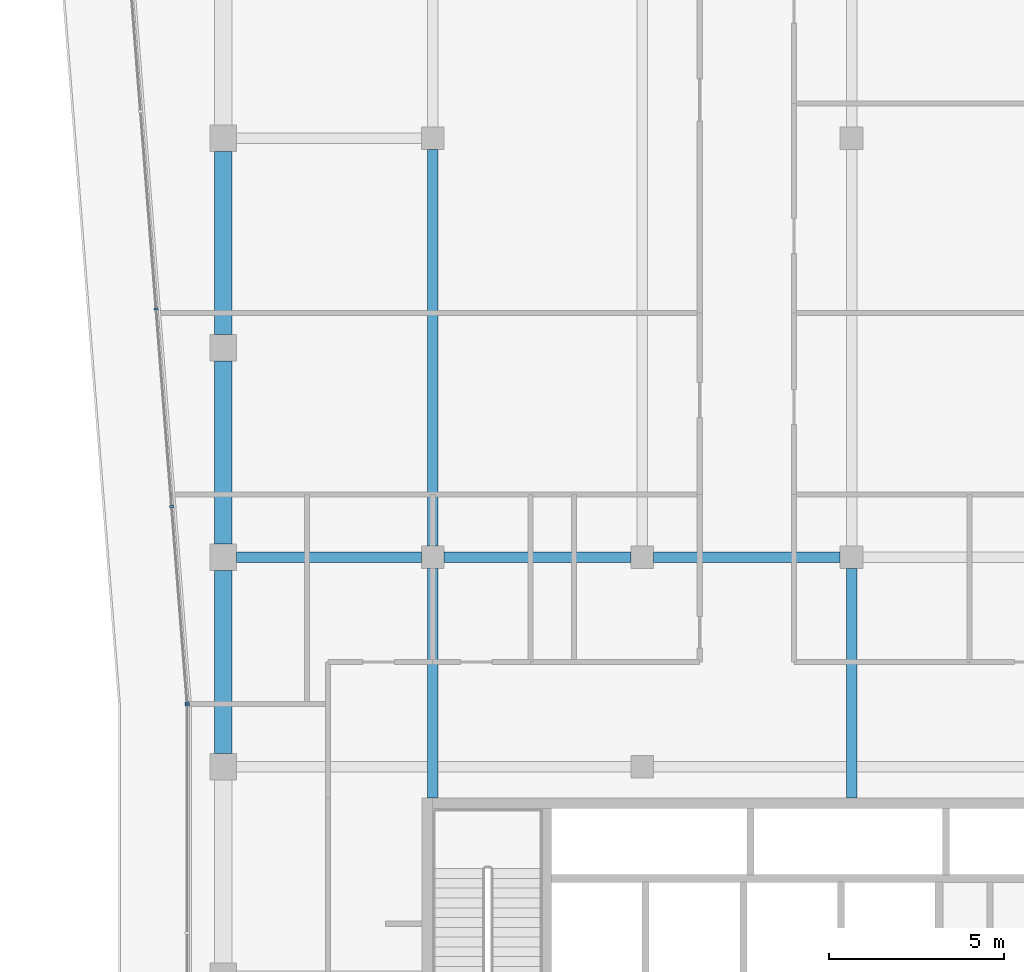
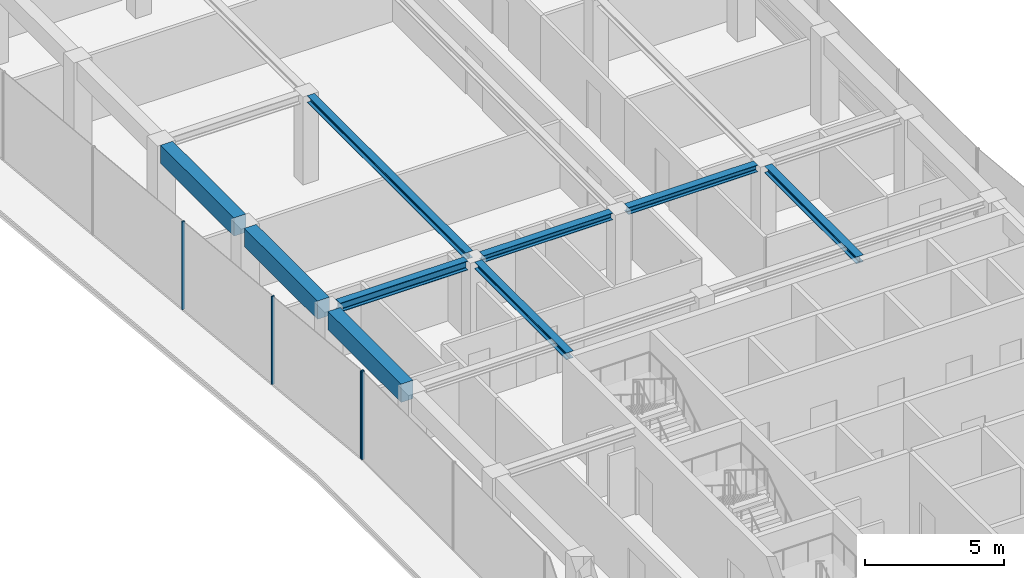
# One storey, part 7 of 23: 9 beams, 4 members, 2 elements without a shape of their own.
"""IFC4 building model written with IfcOpenShell, lengths in metres."""

import ifcopenshell
import ifcopenshell.guid

model = None  # the IFC model being written
_history = None  # IfcOwnerHistory: only IFC2X3 demands one
_inside = {}  # id of a spatial element -> (the spatial element, [elements in it])
_under = {}  # id of a project, library or spatial element -> (it, [spatial elements below it])
_declared = {}  # id of a project -> (the project, [libraries it declares])
_typed = {}  # id of a type object -> (the type object, [elements of that type])
_made_of = {}  # id of a material, layer set ... -> (it, [elements and type objects made of it])


def new_model(schema):
    """Start an empty IFC model of exactly this schema.

    Asked for "IFC4X3", IfcOpenShell would pick the latest addendum, in which some entities
    have other attributes; the version numbers below select the first issue.
    IFC2X3 requires an IfcOwnerHistory on every rooted entity: one is made here for all.
    """
    global model, _history
    if schema == "IFC4X3":
        model = ifcopenshell.file(schema_version=(4, 3, 0, 0))
    else:
        model = ifcopenshell.file(schema=schema)
    _inside.clear()
    _under.clear()
    _declared.clear()
    _typed.clear()
    _made_of.clear()
    _history = None
    if model.schema == "IFC2X3":
        org = make("IfcOrganization", Name="unknown")
        user = make(
            "IfcPersonAndOrganization",
            ThePerson=make("IfcPerson", FamilyName="unknown"),
            TheOrganization=org,
        )
        app = make(
            "IfcApplication",
            ApplicationDeveloper=org,
            Version="unknown",
            ApplicationFullName="unknown",
            ApplicationIdentifier="unknown",
        )
        _history = make(
            "IfcOwnerHistory",
            OwningUser=user,
            OwningApplication=app,
            ChangeAction="ADDED",
            CreationDate=0,
        )
    return model


def make(cls, **values):
    """One entity of the class cls with the attributes given. An attribute that is None is left unset."""
    return model.create_entity(
        cls, **{name: value for name, value in values.items() if value is not None}
    )


def rooted(cls, **values):
    """An entity with a GlobalId (a new one), such as an element, a storey or a relation."""
    return make(cls, GlobalId=ifcopenshell.guid.new(), OwnerHistory=_history, **values)


def si_unit(unit_type, name, prefix=None):
    """IfcSIUnit, for example si_unit("LENGTHUNIT", "METRE", prefix="MILLI")."""
    return make("IfcSIUnit", UnitType=unit_type, Prefix=prefix, Name=name)


def assignment(units):
    """IfcUnitAssignment: the units of a project."""
    return None if units is None else make("IfcUnitAssignment", Units=units)


def point(xyz):
    """IfcCartesianPoint."""
    return None if xyz is None else make("IfcCartesianPoint", Coordinates=xyz)


def direction(xyz):
    """IfcDirection."""
    return None if xyz is None else make("IfcDirection", DirectionRatios=xyz)


def frame(location, z_axis=None, x_axis=None):
    """IfcAxis2Placement3D, a coordinate frame: its origin and axes. An axis left out is left unset."""
    return make(
        "IfcAxis2Placement3D",
        Location=point(location),
        Axis=direction(z_axis),
        RefDirection=direction(x_axis),
    )


def frame_2d(location, x_axis=None):
    """IfcAxis2Placement2D, a coordinate frame in the plane: its origin and x axis."""
    return make(
        "IfcAxis2Placement2D", Location=point(location), RefDirection=direction(x_axis)
    )


def origin():
    """The frame at (0, 0, 0) with its axes left unset."""
    return frame((0.0, 0.0, 0.0))


def origin_2d():
    """The frame at (0, 0) in the plane with its x axis left unset."""
    return frame_2d((0.0, 0.0))


def place(relative_to, where):
    """IfcLocalPlacement: puts the frame where relative to a parent placement (None: the world)."""
    return make(
        "IfcLocalPlacement", PlacementRelTo=relative_to, RelativePlacement=where
    )


def context(
    kind, dimensions, precision=None, world=None, true_north=None, identifier=None
):
    """IfcGeometricRepresentationContext, for example the 3D "Model" context."""
    return make(
        "IfcGeometricRepresentationContext",
        ContextIdentifier=identifier,
        ContextType=kind,
        CoordinateSpaceDimension=dimensions,
        Precision=precision,
        WorldCoordinateSystem=world,
        TrueNorth=true_north,
    )


def subcontext(parent, identifier, kind, view, scale=None):
    """IfcGeometricRepresentationSubContext, for example "Body" below "Model"."""
    return make(
        "IfcGeometricRepresentationSubContext",
        ContextIdentifier=identifier,
        ContextType=kind,
        ParentContext=parent,
        TargetScale=scale,
        TargetView=view,
    )


def project(units=None, contexts=None):
    """IfcProject with its units and contexts."""
    return rooted(
        "IfcProject",
        Name="project",
        RepresentationContexts=contexts,
        UnitsInContext=assignment(units),
    )


def spatial(cls, under=None, at=None, **own):
    """A site, building, storey or space (cls), placed at a placement, below another one or the project."""
    s = rooted(cls, ObjectPlacement=at, **own)
    if under is not None:
        _under.setdefault(under.id(), (under, []))[1].append(s)
    return s


def profile(cls, at=None, kind="AREA", **sizes):
    """A parametric profile (cls). Its sizes go by their IFC names, for example OverallWidth=200.0."""
    return make(cls, ProfileType=kind, Position=at, **sizes)


def rectangle(**sizes):
    """IfcRectangleProfileDef."""
    return profile("IfcRectangleProfileDef", **sizes)


def i_section(**sizes):
    """IfcIShapeProfileDef."""
    return profile("IfcIShapeProfileDef", **sizes)


def extrude(swept, where, along, depth):
    """IfcExtrudedAreaSolid: the profile swept, set in the frame where, extruded along a direction by depth."""
    return make(
        "IfcExtrudedAreaSolid",
        SweptArea=swept,
        Position=where,
        ExtrudedDirection=direction(along),
        Depth=depth,
    )


def shape(context_of_items, identifier, shape_type, items):
    """IfcShapeRepresentation: the items that make up one representation, for example the "Body"."""
    return make(
        "IfcShapeRepresentation",
        ContextOfItems=context_of_items,
        RepresentationIdentifier=identifier,
        RepresentationType=shape_type,
        Items=items,
    )


def material(Name=None, Category=None):
    """IfcMaterial."""
    return make("IfcMaterial", Name=Name, Category=Category)


def layer(
    of_material, thickness, ventilated=None, Name=None, Category=None, Priority=None
):
    """IfcMaterialLayer: one layer of a wall or slab, of a material (None: an air gap)."""
    return make(
        "IfcMaterialLayer",
        Material=of_material,
        LayerThickness=thickness,
        IsVentilated=ventilated,
        Name=Name,
        Category=Category,
        Priority=Priority,
    )


def layer_set(layers, Name=None):
    """IfcMaterialLayerSet."""
    return make("IfcMaterialLayerSet", MaterialLayers=layers, LayerSetName=Name)


def material_profile(
    of_material, cross_section, Name=None, Category=None, Priority=None
):
    """IfcMaterialProfile: a cross section and its material."""
    return make(
        "IfcMaterialProfile",
        Name=Name,
        Material=of_material,
        Profile=cross_section,
        Priority=Priority,
        Category=Category,
    )


def profile_set(profiles, Name=None, composite=None):
    """IfcMaterialProfileSet."""
    return make(
        "IfcMaterialProfileSet",
        Name=Name,
        MaterialProfiles=profiles,
        CompositeProfile=composite,
    )


def made_of(thing, what):
    """Note that an element or type object is made of a material, layer set ...; save() writes the relation."""
    if what is not None:
        _made_of.setdefault(what.id(), (what, []))[1].append(thing)
    return thing


def type_object(cls, material=None, **own):
    """A type object (cls), such as IfcWallType, which elements share."""
    return made_of(rooted(cls, **own), material)


def element(
    cls,
    number,
    at=None,
    inside=None,
    cuts=None,
    type_object=None,
    material=None,
    context=None,
    identifier="Body",
    shape_type=None,
    held_by="IfcProductDefinitionShape",
    body=None,
    shapes=None,
    **own,
):
    """One element of the class cls, such as IfcWall. Its Tag is "e" and its number.

    at: its placement. inside: the storey or other place that contains it. cuts: it is an
    opening in that element (IfcRelVoidsElement). A single representation is given by context,
    identifier, shape_type and body (its items); several are given by shapes. held_by: the class
    of the entity that holds the representations. save() writes the other relations.
    """
    e = rooted(cls, Tag="e%d" % number, ObjectPlacement=at, **own)
    if body is not None:
        shapes = [shape(context, identifier, shape_type, body)]
    if shapes is not None:
        e.Representation = make(held_by, Representations=shapes)
    if inside is not None:
        _inside.setdefault(inside.id(), (inside, []))[1].append(e)
    if cuts is not None:
        rooted(
            "IfcRelVoidsElement", RelatingBuildingElement=cuts, RelatedOpeningElement=e
        )
    if type_object is not None:
        _typed.setdefault(type_object.id(), (type_object, []))[1].append(e)
    return made_of(e, material)


def aggregate(whole, parts):
    """IfcRelAggregates: a whole, such as a stair, and the parts it consists of."""
    return rooted("IfcRelAggregates", RelatingObject=whole, RelatedObjects=parts)


def save(model, path):
    """Write the relations noted so far, then the file.

    IfcRelAggregates (storeys below a building ...), IfcRelContainedInSpatialStructure (elements
    in a storey), IfcRelDefinesByType, IfcRelAssociatesMaterial and IfcRelDeclares: one each for
    every whole, place, type object, material and project.
    """
    for whole, parts in _under.values():
        aggregate(whole, parts)
    for where, things in _inside.values():
        rooted(
            "IfcRelContainedInSpatialStructure",
            RelatedElements=things,
            RelatingStructure=where,
        )
    for kind, things in _typed.values():
        rooted("IfcRelDefinesByType", RelatedObjects=things, RelatingType=kind)
    for what, things in _made_of.values():
        rooted("IfcRelAssociatesMaterial", RelatedObjects=things, RelatingMaterial=what)
    for by, libraries in _declared.values():
        rooted("IfcRelDeclares", RelatingContext=by, RelatedDefinitions=libraries)
    model.write(path)


model = new_model("IFC4")

# Units and contexts
model_context = context("Model", 3, precision=1e-05, world=origin(), true_north=direction((0.0, 1.0)))
body_context = subcontext(model_context, "Body", "Model", "MODEL_VIEW")
ifc_project = project(units=[si_unit("LENGTHUNIT", "METRE"), si_unit("AREAUNIT", "SQUARE_METRE"), si_unit("VOLUMEUNIT", "CUBIC_METRE"), si_unit("PLANEANGLEUNIT", "RADIAN"), si_unit("MASSUNIT", "GRAM", prefix="KILO")], contexts=[model_context])

# Site, building, storey
site_placement = place(None, origin())
site = spatial("IfcSite", under=ifc_project, at=site_placement, CompositionType="ELEMENT")
building_placement = place(site_placement, origin())
building = spatial("IfcBuilding", under=site, at=building_placement, Name="Welwitschia Terrace Campus", CompositionType="ELEMENT")
storey_placement = place(building_placement, frame((0.0, 0.0, 306.199951171875)))
storey = spatial("IfcBuildingStorey", under=building, at=storey_placement, Name="L68", CompositionType="ELEMENT", Elevation=306.199951171875)

# Beams
ifc_material_1 = material(Name="Steel S355", Category="steel")
ifc_material_profile_1 = material_profile(ifc_material_1, i_section(OverallWidth=0.300048828125, OverallDepth=0.300048828125, WebThickness=0.010986328125, FlangeThickness=0.01904296875, FilletRadius=0.027099609375, at=origin_2d()))
ifc_profile_set_1 = profile_set([ifc_material_profile_1], Name="Steel S355")
beam_type_1 = type_object("IfcBeamType", Name="Interior girder HE 300 B", PredefinedType="BEAM", material=ifc_profile_set_1)
for number, where, z_axis, x_axis, name in (
    (1, (6.325439453125, 32.0, 3.699951171875), (1.0, 0.0, 0.0), (0.0, 1.0, 0.0), "Girder GB6"),
    (2, (12.325439453125, 32.0, 3.699951171875), (1.0, 0.0, 0.0), (0.0, 1.0, 0.0), "Girder GB6"),
):
    element("IfcBeam", number, at=place(storey_placement, frame(where, z_axis=z_axis, x_axis=x_axis)), inside=storey, type_object=beam_type_1, Name=name, PredefinedType="BEAM", context=body_context, shape_type="SweptSolid", body=[
        extrude(i_section(OverallWidth=0.300048828125, OverallDepth=0.300048828125, WebThickness=0.010986328125, FlangeThickness=0.01904296875, FilletRadius=0.027099609375, at=origin_2d()), origin(), (0.0, 0.0, 1.0), 5.34912109375),
    ])
beam_1_placement = place(storey_placement, frame((6.0, 25.10107421875, 3.699951171875), z_axis=(0.0, 1.0, 0.0), x_axis=(-1.0, 0.0, 0.0)))
element("IfcBeam", 3, at=beam_1_placement, inside=storey, type_object=beam_type_1, Name="Girder GB6", PredefinedType="BEAM", context=body_context, shape_type="SweptSolid", body=[
    extrude(i_section(OverallWidth=0.300048828125, OverallDepth=0.300048828125, WebThickness=0.010986328125, FlangeThickness=0.01904296875, FilletRadius=0.027099609375, at=origin_2d()), origin(), (0.0, 0.0, 1.0), 6.573486328125),
])
beam_2_placement = place(storey_placement, frame((6.0, 32.325439453125, 3.699951171875), z_axis=(0.0, 1.0, 0.0), x_axis=(-1.0, 0.0, 0.0)))
element("IfcBeam", 4, at=beam_2_placement, inside=storey, type_object=beam_type_1, Name="Girder GB6", PredefinedType="BEAM", context=body_context, shape_type="SweptSolid", body=[
    extrude(i_section(OverallWidth=0.300048828125, OverallDepth=0.300048828125, WebThickness=0.010986328125, FlangeThickness=0.01904296875, FilletRadius=0.027099609375, at=origin_2d()), origin(), (0.0, 0.0, 1.0), 11.34912109375),
])
beam_3_placement = place(storey_placement, frame((18.0, 25.10107421875, 3.699951171875), z_axis=(0.0, 1.0, 0.0), x_axis=(-1.0, 0.0, 0.0)))
element("IfcBeam", 5, at=beam_3_placement, inside=storey, type_object=beam_type_1, Name="Girder GB6", PredefinedType="BEAM", context=body_context, shape_type="SweptSolid", body=[
    extrude(i_section(OverallWidth=0.300048828125, OverallDepth=0.300048828125, WebThickness=0.010986328125, FlangeThickness=0.01904296875, FilletRadius=0.027099609375, at=origin_2d()), origin(), (0.0, 0.0, 1.0), 6.573486328125),
])

# Curtain wall, member
ifc_material_2 = material(Name="Bronze anodised aluminium", Category="aluminium")
ifc_layer = layer(ifc_material_2, 0.1201171875)
ifc_layer_set = layer_set([ifc_layer], Name="Bronze anodised aluminium")
curtain_wall_type = type_object("IfcCurtainWallType", Name="Curtain wall CW2 tower 6000", PredefinedType="NOTDEFINED", material=ifc_layer_set)
curtain_wall_1_placement = place(storey_placement, origin())
curtain_wall_1 = element("IfcCurtainWall", 6, at=curtain_wall_1_placement, inside=storey, type_object=curtain_wall_type, Name="CW L68.0.0", PredefinedType="NOTDEFINED")
ifc_material_3 = material(Name="Bronze anodised aluminium", Category="aluminium")
ifc_material_profile_2 = material_profile(ifc_material_3, rectangle(XDim=0.1201171875, YDim=0.06005859375, at=origin_2d()))
ifc_profile_set_2 = profile_set([ifc_material_profile_2], Name="Bronze anodised aluminium")
member_type = type_object("IfcMemberType", Name="Mullion 60x120", PredefinedType="MULLION", material=ifc_profile_set_2)
member_1_placement = place(storey_placement, frame((-1.030029296875, 27.7685546875, 0.0), z_axis=(0.0, 0.0, 1.0), x_axis=(1.0, 0.0, 0.0)))
member_1 = element("IfcMember", 7, at=member_1_placement, type_object=member_type, Name="Mullion L68.0.0.0", PredefinedType="MULLION", context=body_context, shape_type="SweptSolid", body=[
    extrude(rectangle(XDim=0.1201171875, YDim=0.06005859375, at=origin_2d()), origin(), (0.0, 0.0, 1.0), 3.85009765625),
])
aggregate(curtain_wall_1, [member_1])

# Curtain wall, members
curtain_wall_2_placement = place(storey_placement, origin())
curtain_wall_2 = element("IfcCurtainWall", 8, at=curtain_wall_2_placement, inside=storey, type_object=curtain_wall_type, Name="CW L68.11.0", PredefinedType="NOTDEFINED")
member_2_placement = place(storey_placement, frame((-1.920654296875, 39.114501953125, 0.0), z_axis=(0.0, 0.0, 1.0), x_axis=(0.996917333733, 0.078459095728, 0.0)))
member_2 = element("IfcMember", 9, at=member_2_placement, type_object=member_type, Name="Mullion L68.11.0.4", PredefinedType="MULLION", context=body_context, shape_type="SweptSolid", body=[
    extrude(rectangle(XDim=0.1201171875, YDim=0.06005859375, at=origin_2d()), origin(), (0.0, 0.0, 1.0), 3.85009765625),
])
member_3_placement = place(storey_placement, frame((-1.475341796875, 33.45654296875, 0.0), z_axis=(0.0, 0.0, 1.0), x_axis=(0.996917333733, 0.078459095728, 0.0)))
member_3 = element("IfcMember", 10, at=member_3_placement, type_object=member_type, Name="Mullion L68.11.0.5", PredefinedType="MULLION", context=body_context, shape_type="SweptSolid", body=[
    extrude(rectangle(XDim=0.1201171875, YDim=0.06005859375, at=origin_2d()), origin(), (0.0, 0.0, 1.0), 3.85009765625),
])
member_4_placement = place(storey_placement, frame((-1.032470703125, 27.82861328125, 0.0), z_axis=(0.0, 0.0, 1.0), x_axis=(0.996917333733, 0.078459095728, 0.0)))
member_4 = element("IfcMember", 11, at=member_4_placement, type_object=member_type, Name="Mullion L68.11.0.6", PredefinedType="MULLION", context=body_context, shape_type="SweptSolid", body=[
    extrude(rectangle(XDim=0.1201171875, YDim=0.06005859375, at=origin_2d()), origin(), (0.0, 0.0, 1.0), 3.85009765625),
])
aggregate(curtain_wall_2, [member_2, member_3, member_4])

# Beams
ifc_material_4 = material(Name="Steel S355", Category="steel")
ifc_material_profile_3 = material_profile(ifc_material_4, i_section(OverallWidth=0.300048828125, OverallDepth=0.39990234375, WebThickness=0.013427734375, FlangeThickness=0.02392578125, FilletRadius=0.027099609375, at=origin_2d()))
ifc_profile_set_3 = profile_set([ifc_material_profile_3], Name="Steel S355")
beam_type_2 = type_object("IfcBeamType", Name="Primary beam HE 400 B", PredefinedType="BEAM", material=ifc_profile_set_3)
beam_4_placement = place(storey_placement, frame((0.37548828125, 32.0, 3.650146484375), z_axis=(1.0, 0.0, 0.0), x_axis=(0.0, 1.0, 0.0)))
element("IfcBeam", 12, at=beam_4_placement, inside=storey, type_object=beam_type_2, Name="Primary beam PB6", PredefinedType="BEAM", context=body_context, shape_type="SweptSolid", body=[
    extrude(i_section(OverallWidth=0.300048828125, OverallDepth=0.39990234375, WebThickness=0.013427734375, FlangeThickness=0.02392578125, FilletRadius=0.027099609375, at=origin_2d()), origin(), (0.0, 0.0, 1.0), 5.299072265625),
])
ifc_material_5 = material(Name="Concrete C50/60", Category="concrete")
ifc_material_profile_4 = material_profile(ifc_material_5, rectangle(XDim=0.5, YDim=0.800048828125, at=origin_2d()))
ifc_profile_set_4 = profile_set([ifc_material_profile_4], Name="Concrete C50/60")
beam_type_3 = type_object("IfcBeamType", Name="Ring spandrel 500x800", PredefinedType="SPANDREL", material=ifc_profile_set_4)
for number, where, z_axis, x_axis, name in (
    (13, (0.0, 43.62451171875, 3.449951171875), (0.0, -1.0, 0.0), (1.0, 0.0, 0.0), "Spandrel SP4"),
    (14, (0.0, 37.62451171875, 3.449951171875), (0.0, -1.0, 0.0), (1.0, 0.0, 0.0), "Spandrel SP4"),
    (15, (0.0, 31.62451171875, 3.449951171875), (0.0, -1.0, 0.0), (1.0, 0.0, 0.0), "Spandrel SP4"),
):
    element("IfcBeam", number, at=place(storey_placement, frame(where, z_axis=z_axis, x_axis=x_axis)), inside=storey, type_object=beam_type_3, Name=name, PredefinedType="SPANDREL", context=body_context, shape_type="SweptSolid", body=[
        extrude(rectangle(XDim=0.5, YDim=0.800048828125, at=origin_2d()), origin(), (0.0, 0.0, 1.0), 5.2490234375),
    ])

save(model, "model.ifc")
